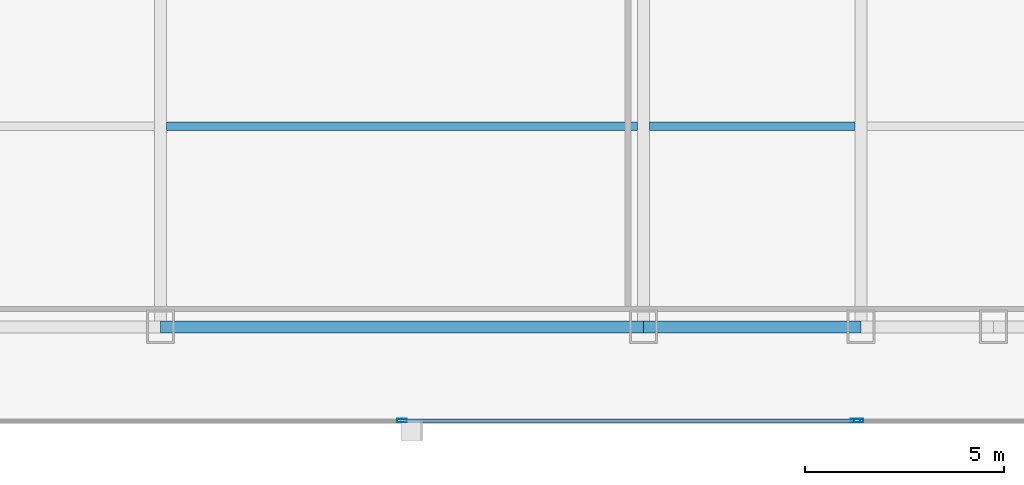
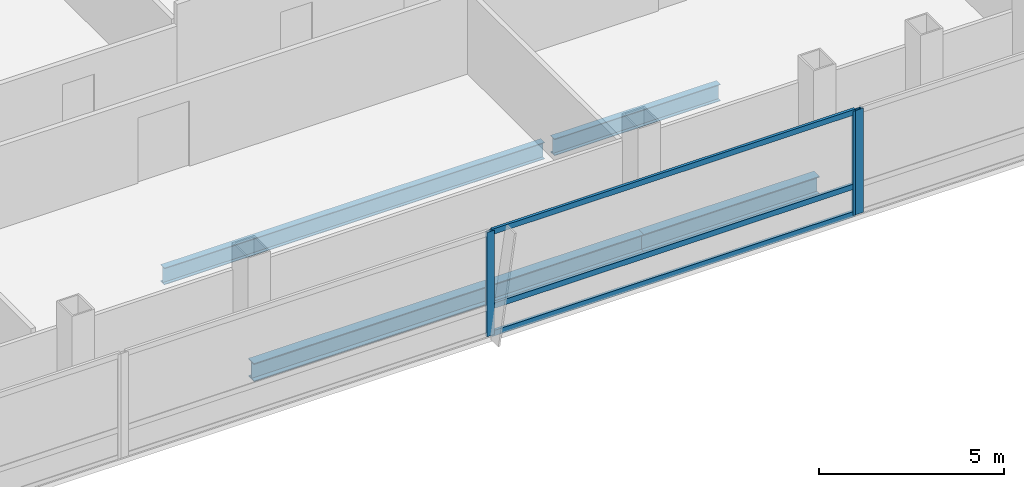
# One storey, part 13 of 32: 6 members, 4 beams, 2 elements without a shape of their own.
"""IFC4 building model written with IfcOpenShell, lengths in metres."""

import ifcopenshell
import ifcopenshell.guid

model = None  # the IFC model being written
_history = None  # IfcOwnerHistory: only IFC2X3 demands one
_inside = {}  # id of a spatial element -> (the spatial element, [elements in it])
_under = {}  # id of a project, library or spatial element -> (it, [spatial elements below it])
_declared = {}  # id of a project -> (the project, [libraries it declares])
_typed = {}  # id of a type object -> (the type object, [elements of that type])
_made_of = {}  # id of a material, layer set ... -> (it, [elements and type objects made of it])


def new_model(schema):
    """Start an empty IFC model of exactly this schema.

    Asked for "IFC4X3", IfcOpenShell would pick the latest addendum, in which some entities
    have other attributes; the version numbers below select the first issue.
    IFC2X3 requires an IfcOwnerHistory on every rooted entity: one is made here for all.
    """
    global model, _history
    if schema == "IFC4X3":
        model = ifcopenshell.file(schema_version=(4, 3, 0, 0))
    else:
        model = ifcopenshell.file(schema=schema)
    _inside.clear()
    _under.clear()
    _declared.clear()
    _typed.clear()
    _made_of.clear()
    _history = None
    if model.schema == "IFC2X3":
        org = make("IfcOrganization", Name="unknown")
        user = make(
            "IfcPersonAndOrganization",
            ThePerson=make("IfcPerson", FamilyName="unknown"),
            TheOrganization=org,
        )
        app = make(
            "IfcApplication",
            ApplicationDeveloper=org,
            Version="unknown",
            ApplicationFullName="unknown",
            ApplicationIdentifier="unknown",
        )
        _history = make(
            "IfcOwnerHistory",
            OwningUser=user,
            OwningApplication=app,
            ChangeAction="ADDED",
            CreationDate=0,
        )
    return model


def make(cls, **values):
    """One entity of the class cls with the attributes given. An attribute that is None is left unset."""
    return model.create_entity(
        cls, **{name: value for name, value in values.items() if value is not None}
    )


def rooted(cls, **values):
    """An entity with a GlobalId (a new one), such as an element, a storey or a relation."""
    return make(cls, GlobalId=ifcopenshell.guid.new(), OwnerHistory=_history, **values)


def si_unit(unit_type, name, prefix=None):
    """IfcSIUnit, for example si_unit("LENGTHUNIT", "METRE", prefix="MILLI")."""
    return make("IfcSIUnit", UnitType=unit_type, Prefix=prefix, Name=name)


def assignment(units):
    """IfcUnitAssignment: the units of a project."""
    return None if units is None else make("IfcUnitAssignment", Units=units)


def point(xyz):
    """IfcCartesianPoint."""
    return None if xyz is None else make("IfcCartesianPoint", Coordinates=xyz)


def direction(xyz):
    """IfcDirection."""
    return None if xyz is None else make("IfcDirection", DirectionRatios=xyz)


def frame(location, z_axis=None, x_axis=None):
    """IfcAxis2Placement3D, a coordinate frame: its origin and axes. An axis left out is left unset."""
    return make(
        "IfcAxis2Placement3D",
        Location=point(location),
        Axis=direction(z_axis),
        RefDirection=direction(x_axis),
    )


def frame_2d(location, x_axis=None):
    """IfcAxis2Placement2D, a coordinate frame in the plane: its origin and x axis."""
    return make(
        "IfcAxis2Placement2D", Location=point(location), RefDirection=direction(x_axis)
    )


def origin():
    """The frame at (0, 0, 0) with its axes left unset."""
    return frame((0.0, 0.0, 0.0))


def origin_2d():
    """The frame at (0, 0) in the plane with its x axis left unset."""
    return frame_2d((0.0, 0.0))


def place(relative_to, where):
    """IfcLocalPlacement: puts the frame where relative to a parent placement (None: the world)."""
    return make(
        "IfcLocalPlacement", PlacementRelTo=relative_to, RelativePlacement=where
    )


def context(
    kind, dimensions, precision=None, world=None, true_north=None, identifier=None
):
    """IfcGeometricRepresentationContext, for example the 3D "Model" context."""
    return make(
        "IfcGeometricRepresentationContext",
        ContextIdentifier=identifier,
        ContextType=kind,
        CoordinateSpaceDimension=dimensions,
        Precision=precision,
        WorldCoordinateSystem=world,
        TrueNorth=true_north,
    )


def subcontext(parent, identifier, kind, view, scale=None):
    """IfcGeometricRepresentationSubContext, for example "Body" below "Model"."""
    return make(
        "IfcGeometricRepresentationSubContext",
        ContextIdentifier=identifier,
        ContextType=kind,
        ParentContext=parent,
        TargetScale=scale,
        TargetView=view,
    )


def project(units=None, contexts=None):
    """IfcProject with its units and contexts."""
    return rooted(
        "IfcProject",
        Name="project",
        RepresentationContexts=contexts,
        UnitsInContext=assignment(units),
    )


def spatial(cls, under=None, at=None, **own):
    """A site, building, storey or space (cls), placed at a placement, below another one or the project."""
    s = rooted(cls, ObjectPlacement=at, **own)
    if under is not None:
        _under.setdefault(under.id(), (under, []))[1].append(s)
    return s


def profile(cls, at=None, kind="AREA", **sizes):
    """A parametric profile (cls). Its sizes go by their IFC names, for example OverallWidth=200.0."""
    return make(cls, ProfileType=kind, Position=at, **sizes)


def hollow_rectangle(**sizes):
    """IfcRectangleHollowProfileDef."""
    return profile("IfcRectangleHollowProfileDef", **sizes)


def i_section(**sizes):
    """IfcIShapeProfileDef."""
    return profile("IfcIShapeProfileDef", **sizes)


def extrude(swept, where, along, depth):
    """IfcExtrudedAreaSolid: the profile swept, set in the frame where, extruded along a direction by depth."""
    return make(
        "IfcExtrudedAreaSolid",
        SweptArea=swept,
        Position=where,
        ExtrudedDirection=direction(along),
        Depth=depth,
    )


def shape(context_of_items, identifier, shape_type, items):
    """IfcShapeRepresentation: the items that make up one representation, for example the "Body"."""
    return make(
        "IfcShapeRepresentation",
        ContextOfItems=context_of_items,
        RepresentationIdentifier=identifier,
        RepresentationType=shape_type,
        Items=items,
    )


def material(Name=None, Category=None):
    """IfcMaterial."""
    return make("IfcMaterial", Name=Name, Category=Category)


def material_profile(
    of_material, cross_section, Name=None, Category=None, Priority=None
):
    """IfcMaterialProfile: a cross section and its material."""
    return make(
        "IfcMaterialProfile",
        Name=Name,
        Material=of_material,
        Profile=cross_section,
        Priority=Priority,
        Category=Category,
    )


def profile_set(profiles, Name=None, composite=None):
    """IfcMaterialProfileSet."""
    return make(
        "IfcMaterialProfileSet",
        Name=Name,
        MaterialProfiles=profiles,
        CompositeProfile=composite,
    )


def made_of(thing, what):
    """Note that an element or type object is made of a material, layer set ...; save() writes the relation."""
    if what is not None:
        _made_of.setdefault(what.id(), (what, []))[1].append(thing)
    return thing


def type_object(cls, material=None, **own):
    """A type object (cls), such as IfcWallType, which elements share."""
    return made_of(rooted(cls, **own), material)


def element(
    cls,
    number,
    at=None,
    inside=None,
    cuts=None,
    type_object=None,
    material=None,
    context=None,
    identifier="Body",
    shape_type=None,
    held_by="IfcProductDefinitionShape",
    body=None,
    shapes=None,
    **own,
):
    """One element of the class cls, such as IfcWall. Its Tag is "e" and its number.

    at: its placement. inside: the storey or other place that contains it. cuts: it is an
    opening in that element (IfcRelVoidsElement). A single representation is given by context,
    identifier, shape_type and body (its items); several are given by shapes. held_by: the class
    of the entity that holds the representations. save() writes the other relations.
    """
    e = rooted(cls, Tag="e%d" % number, ObjectPlacement=at, **own)
    if body is not None:
        shapes = [shape(context, identifier, shape_type, body)]
    if shapes is not None:
        e.Representation = make(held_by, Representations=shapes)
    if inside is not None:
        _inside.setdefault(inside.id(), (inside, []))[1].append(e)
    if cuts is not None:
        rooted(
            "IfcRelVoidsElement", RelatingBuildingElement=cuts, RelatedOpeningElement=e
        )
    if type_object is not None:
        _typed.setdefault(type_object.id(), (type_object, []))[1].append(e)
    return made_of(e, material)


def aggregate(whole, parts):
    """IfcRelAggregates: a whole, such as a stair, and the parts it consists of."""
    return rooted("IfcRelAggregates", RelatingObject=whole, RelatedObjects=parts)


def save(model, path):
    """Write the relations noted so far, then the file.

    IfcRelAggregates (storeys below a building ...), IfcRelContainedInSpatialStructure (elements
    in a storey), IfcRelDefinesByType, IfcRelAssociatesMaterial and IfcRelDeclares: one each for
    every whole, place, type object, material and project.
    """
    for whole, parts in _under.values():
        aggregate(whole, parts)
    for where, things in _inside.values():
        rooted(
            "IfcRelContainedInSpatialStructure",
            RelatedElements=things,
            RelatingStructure=where,
        )
    for kind, things in _typed.values():
        rooted("IfcRelDefinesByType", RelatedObjects=things, RelatingType=kind)
    for what, things in _made_of.values():
        rooted("IfcRelAssociatesMaterial", RelatedObjects=things, RelatingMaterial=what)
    for by, libraries in _declared.values():
        rooted("IfcRelDeclares", RelatingContext=by, RelatedDefinitions=libraries)
    model.write(path)


model = new_model("IFC4")

# Units and contexts
model_context = context("Model", 3, precision=1e-05, world=origin(), true_north=direction((0.0, 1.0)))
body_context = subcontext(model_context, "Body", "Model", "MODEL_VIEW")
ifc_project = project(units=[si_unit("LENGTHUNIT", "METRE"), si_unit("AREAUNIT", "SQUARE_METRE"), si_unit("VOLUMEUNIT", "CUBIC_METRE"), si_unit("PLANEANGLEUNIT", "RADIAN"), si_unit("MASSUNIT", "GRAM", prefix="KILO")], contexts=[model_context])

# Site, building, storey
site_placement = place(None, origin())
site = spatial("IfcSite", under=ifc_project, at=site_placement, CompositionType="ELEMENT")
building_placement = place(site_placement, origin())
building = spatial("IfcBuilding", under=site, at=building_placement, Name="Khoronbel Lancet Exchange", CompositionType="ELEMENT")
storey_placement = place(building_placement, frame((0.0, 0.0, 111.0)))
storey = spatial("IfcBuildingStorey", under=building, at=storey_placement, Name="L26", CompositionType="ELEMENT", Elevation=111.0)

# Beams
ifc_material_1 = material(Name="Steel S355", Category="steel")
ifc_material_profile_1 = material_profile(ifc_material_1, i_section(OverallWidth=0.2099609375, OverallDepth=0.550048828125, WebThickness=0.010986328125, FlangeThickness=0.01708984375, at=origin_2d()), Name="IPE 550")
ifc_profile_set_1 = profile_set([ifc_material_profile_1], Name="Steel S355")
beam_type_1 = type_object("IfcBeamType", Name="BM-BJ2", PredefinedType="JOIST", material=ifc_profile_set_1)
beam_1_placement = place(storey_placement, frame((30.52490234375, 15.199951171875, -0.43505859375), z_axis=(1.0, 0.0, 0.0), x_axis=(0.0, 1.0, 0.0)))
element("IfcBeam", 1, at=beam_1_placement, inside=storey, type_object=beam_type_1, Name="Level L26 secondary composite joist J03", PredefinedType="JOIST", context=body_context, shape_type="SweptSolid", body=[
    extrude(i_section(OverallWidth=0.2099609375, OverallDepth=0.550048828125, WebThickness=0.010986328125, FlangeThickness=0.01708984375, at=origin_2d()), origin(), (0.0, 0.0, 1.0), 11.85009765625),
])
beam_2_placement = place(storey_placement, frame((42.675048828125, 15.199951171875, -0.43505859375), z_axis=(1.0, 0.0, 0.0), x_axis=(0.0, 1.0, 0.0)))
element("IfcBeam", 2, at=beam_2_placement, inside=storey, type_object=beam_type_1, Name="Level L26 secondary composite joist J04", PredefinedType="JOIST", context=body_context, shape_type="SweptSolid", body=[
    extrude(i_section(OverallWidth=0.2099609375, OverallDepth=0.550048828125, WebThickness=0.010986328125, FlangeThickness=0.01708984375, at=origin_2d()), origin(), (0.0, 0.0, 1.0), 5.175048828125),
])
ifc_material_profile_2 = material_profile(ifc_material_1, i_section(OverallWidth=0.300048828125, OverallDepth=0.60009765625, WebThickness=0.015380859375, FlangeThickness=0.030029296875, at=origin_2d()), Name="HEB 600")
ifc_profile_set_2 = profile_set([ifc_material_profile_2], Name="Steel S355")
beam_type_2 = type_object("IfcBeamType", Name="BM-BSP2", PredefinedType="SPANDREL", material=ifc_profile_set_2)
beam_3_placement = place(storey_placement, frame((30.375, 10.14990234375, -0.4599609375), z_axis=(1.0, 0.0, 0.0), x_axis=(0.0, 1.0, 0.0)))
element("IfcBeam", 3, at=beam_3_placement, inside=storey, type_object=beam_type_2, Name="Level L26 perimeter spandrel beam SP05", PredefinedType="SPANDREL", context=body_context, shape_type="SweptSolid", body=[
    extrude(i_section(OverallWidth=0.300048828125, OverallDepth=0.60009765625, WebThickness=0.015380859375, FlangeThickness=0.030029296875, at=origin_2d()), origin(), (0.0, 0.0, 1.0), 12.14990234375),
])
beam_4_placement = place(storey_placement, frame((42.52490234375, 10.14990234375, -0.4599609375), z_axis=(1.0, 0.0, 0.0), x_axis=(0.0, 1.0, 0.0)))
element("IfcBeam", 4, at=beam_4_placement, inside=storey, type_object=beam_type_2, Name="Level L26 perimeter spandrel beam SP06", PredefinedType="SPANDREL", context=body_context, shape_type="SweptSolid", body=[
    extrude(i_section(OverallWidth=0.300048828125, OverallDepth=0.60009765625, WebThickness=0.015380859375, FlangeThickness=0.030029296875, at=origin_2d()), origin(), (0.0, 0.0, 1.0), 5.47509765625),
])

# Curtain wall, members
ifc_material_2 = material(Name="Low-E Solar Control Insulating Glass", Category="glass")
curtain_wall_type = type_object("IfcCurtainWallType", Name="CW-2", PredefinedType="NOTDEFINED", material=ifc_material_2)
curtain_wall_1_placement = place(storey_placement, origin())
curtain_wall_1 = element("IfcCurtainWall", 5, at=curtain_wall_1_placement, inside=storey, type_object=curtain_wall_type, Name="Unitised curtain wall CW-L26-SCV", PredefinedType="NOTDEFINED")
ifc_material_3 = material(Name="Bronze-Anodised Aluminium 6063-T6", Category="aluminium")
ifc_material_profile_3 = material_profile(ifc_material_3, hollow_rectangle(XDim=0.0849609375, YDim=0.239990234375, WallThickness=0.006103515625, at=origin_2d()), Name="ALU MULLION 85x240")
ifc_profile_set_3 = profile_set([ifc_material_profile_3], Name="Bronze-Anodised Aluminium 6063-T6")
member_type_1 = type_object("IfcMemberType", Name="MEM-CWM1", PredefinedType="MULLION", material=ifc_profile_set_3)
member_1_placement = place(storey_placement, frame((36.449951171875, 7.7900390625, 0.0), z_axis=(0.0, 0.0, 1.0), x_axis=(0.0, 1.0, 0.0)))
member_1 = element("IfcMember", 6, at=member_1_placement, type_object=member_type_1, Name="CW2 mullion 2", PredefinedType="MULLION", context=body_context, shape_type="SweptSolid", body=[
    extrude(hollow_rectangle(XDim=0.0849609375, YDim=0.239990234375, WallThickness=0.006103515625, at=origin_2d()), origin(), (0.0, 0.0, 1.0), 3.43994140625),
])
member_2_placement = place(storey_placement, frame((47.857421875, 7.7900390625, 0.0), z_axis=(0.0, 0.0, 1.0), x_axis=(0.0, 1.0, 0.0)))
member_2 = element("IfcMember", 7, at=member_2_placement, type_object=member_type_1, Name="CW2 mullion 3", PredefinedType="MULLION", context=body_context, shape_type="SweptSolid", body=[
    extrude(hollow_rectangle(XDim=0.0849609375, YDim=0.239990234375, WallThickness=0.006103515625, at=origin_2d()), origin(), (0.0, 0.0, 1.0), 3.43994140625),
])

# Curtain wall, member
curtain_wall_2_placement = place(storey_placement, origin())
curtain_wall_2 = element("IfcCurtainWall", 8, at=curtain_wall_2_placement, inside=storey, type_object=curtain_wall_type, Name="Unitised curtain wall CW-L26-SEB", PredefinedType="NOTDEFINED")
member_3_placement = place(storey_placement, frame((47.9423828125, 7.7900390625, 0.0), z_axis=(0.0, 0.0, 1.0), x_axis=(0.0, 1.0, 0.0)))
member_3 = element("IfcMember", 9, at=member_3_placement, type_object=member_type_1, Name="CW2 mullion 1", PredefinedType="MULLION", context=body_context, shape_type="SweptSolid", body=[
    extrude(hollow_rectangle(XDim=0.0849609375, YDim=0.239990234375, WallThickness=0.006103515625, at=origin_2d()), origin(), (0.0, 0.0, 1.0), 3.43994140625),
])
aggregate(curtain_wall_2, [member_3])

# Member
ifc_material_profile_4 = material_profile(ifc_material_3, hollow_rectangle(XDim=0.0849609375, YDim=0.179931640625, WallThickness=0.0048828125, at=origin_2d()), Name="ALU TRANSOM 85x180")
ifc_profile_set_4 = profile_set([ifc_material_profile_4], Name="Bronze-Anodised Aluminium 6063-T6")
member_type_2 = type_object("IfcMemberType", Name="MEM-CWT1", PredefinedType="USERDEFINED", material=ifc_profile_set_4)
member_4_placement = place(storey_placement, frame((36.492431640625, 7.7900390625, 0.04248046875), z_axis=(1.0, 0.0, 0.0), x_axis=(0.0, 1.0, 0.0)))
member_4 = element("IfcMember", 10, at=member_4_placement, type_object=member_type_2, Name="CW2 transom 2.1", ObjectType="TRANSOM", PredefinedType="USERDEFINED", context=body_context, shape_type="SweptSolid", body=[
    extrude(hollow_rectangle(XDim=0.0849609375, YDim=0.179931640625, WallThickness=0.0048828125, at=origin_2d()), origin(), (0.0, 0.0, 1.0), 11.322509765625),
])

member_5_placement = place(storey_placement, frame((36.492431640625, 7.7900390625, 0.949951171875), z_axis=(1.0, 0.0, 0.0), x_axis=(0.0, 1.0, 0.0)))
member_5 = element("IfcMember", 11, at=member_5_placement, type_object=member_type_2, Name="CW2 transom 2.2", ObjectType="TRANSOM", PredefinedType="USERDEFINED", context=body_context, shape_type="SweptSolid", body=[
    extrude(hollow_rectangle(XDim=0.0849609375, YDim=0.179931640625, WallThickness=0.0048828125, at=origin_2d()), origin(), (0.0, 0.0, 1.0), 11.322509765625),
])

member_6_placement = place(storey_placement, frame((36.492431640625, 7.7900390625, 3.3974609375), z_axis=(1.0, 0.0, 0.0), x_axis=(0.0, 1.0, 0.0)))
member_6 = element("IfcMember", 12, at=member_6_placement, type_object=member_type_2, Name="CW2 transom 2.3", ObjectType="TRANSOM", PredefinedType="USERDEFINED", context=body_context, shape_type="SweptSolid", body=[
    extrude(hollow_rectangle(XDim=0.0849609375, YDim=0.179931640625, WallThickness=0.0048828125, at=origin_2d()), origin(), (0.0, 0.0, 1.0), 11.322509765625),
])

aggregate(curtain_wall_1, [member_1, member_2, member_4, member_5, member_6])

save(model, "model.ifc")
